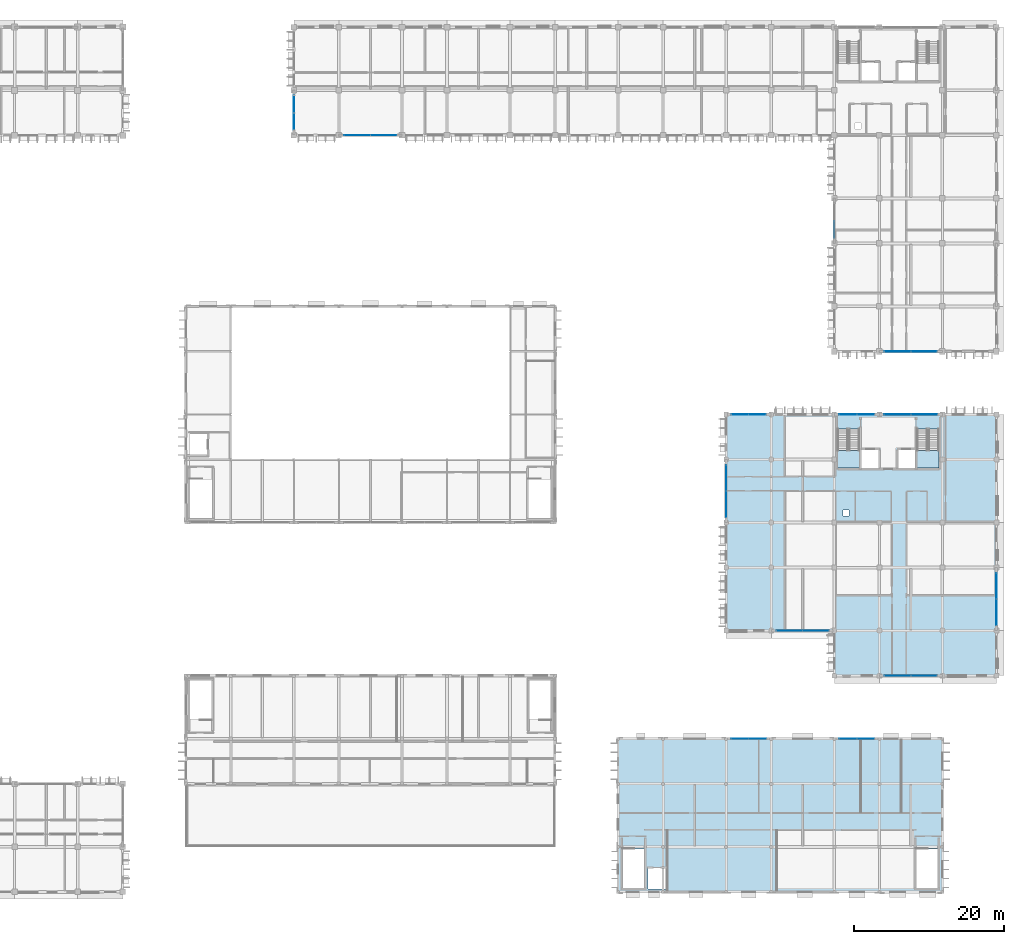
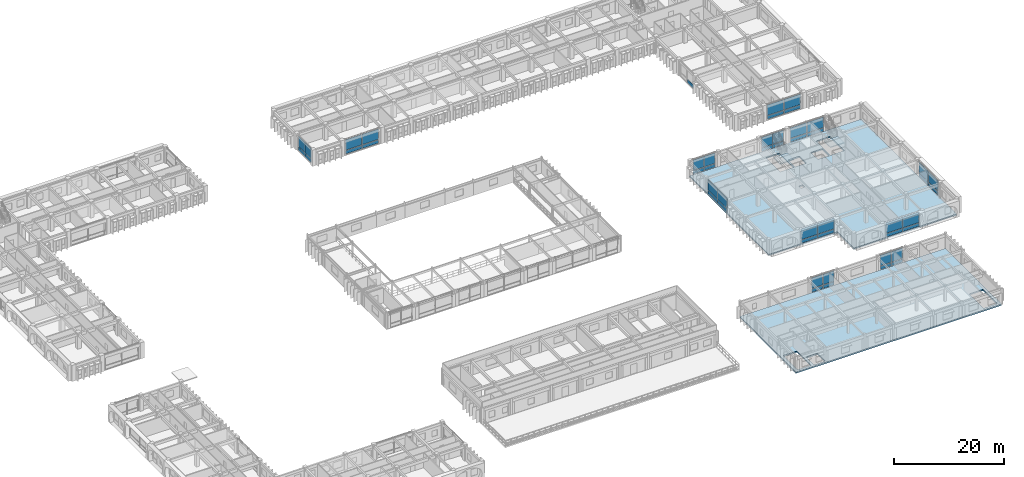
# One storey, part 44 of 88: 49 plates, 4 slabs, 15 elements without a shape of their own.
"""IFC4 building model written with IfcOpenShell, lengths in metres."""

from ifc_helpers import new_model, si_unit, direction, frame, origin, origin_2d, place, context, subcontext, project, spatial, polyline, rectangle, outline, extrude, material, layer, layer_set, type_object, element, aggregate, save


model = new_model("IFC4")

# Units and contexts
model_context = context("Model", 3, precision=1e-05, world=origin(), true_north=direction((0.0, 1.0)))
body_context = subcontext(model_context, "Body", "Model", "MODEL_VIEW")
ifc_project = project(units=[si_unit("LENGTHUNIT", "METRE"), si_unit("AREAUNIT", "SQUARE_METRE"), si_unit("VOLUMEUNIT", "CUBIC_METRE"), si_unit("PLANEANGLEUNIT", "RADIAN"), si_unit("MASSUNIT", "GRAM", prefix="KILO"), si_unit("THERMODYNAMICTEMPERATUREUNIT", "KELVIN")], contexts=[model_context])

# Site, building, storey
site_placement = place(None, origin())
site = spatial("IfcSite", under=ifc_project, at=site_placement, CompositionType="ELEMENT")
building_placement = place(site_placement, origin())
building = spatial("IfcBuilding", under=site, at=building_placement, Name="Thalorik Housing Commons", CompositionType="ELEMENT")
storey_placement = place(building_placement, frame((0.0, 0.0, 4.5)))
storey = spatial("IfcBuildingStorey", under=building, at=storey_placement, Name="L01", CompositionType="ELEMENT", Elevation=4.5)

# Curtain wall, plates
ifc_material_1 = material(Name="Anodised aluminium and solar-control low-E glass", Category="aluminium")
curtain_wall_type_1 = type_object("IfcCurtainWallType", Name="ARC-CW-LOUNGE", PredefinedType="USERDEFINED", material=ifc_material_1)
curtain_wall_1_placement = place(storey_placement, origin())
curtain_wall_1 = element("IfcCurtainWall", 1, at=curtain_wall_1_placement, inside=storey, type_object=curtain_wall_type_1, Name="L01 Curtain Wall CW-RES-L01-B-077", ObjectType="CURTAIN WALL", PredefinedType="USERDEFINED")
ifc_material_2 = material(Name="Cobalt blue enamelled aluminium spandrel panel", Category="aluminium")
ifc_layer_1 = layer(ifc_material_2, 0.0458984375, Name="Cobalt blue enamelled aluminium spandrel panel", Category="aluminium")
ifc_layer_set_1 = layer_set([ifc_layer_1], Name="Cobalt blue enamelled aluminium spandrel panel")
plate_type_1 = type_object("IfcPlateType", Name="ARC-CP-BLU-46", PredefinedType="CURTAIN_PANEL", material=ifc_layer_set_1)
plate_1_placement = place(storey_placement, frame((160.85009765625, 80.39990234375, 0.080078125), z_axis=(0.0, 0.0, 1.0), x_axis=(1.0, 0.0, 0.0)))
plate_1 = element("IfcPlate", 2, at=plate_1_placement, type_object=plate_type_1, Name="CW-RES-L01-B-077 Spandrel Panel 1", PredefinedType="CURTAIN_PANEL", context=body_context, shape_type="SweptSolid", body=[
    extrude(rectangle(XDim=3.43994140625, YDim=0.0458984375, at=origin_2d()), origin(), (0.0, 0.0, 1.0), 0.760009765625),
])
plate_2_placement = place(storey_placement, frame((164.35009765625, 80.39990234375, 0.080078125), z_axis=(0.0, 0.0, 1.0), x_axis=(1.0, 0.0, 0.0)))
plate_2 = element("IfcPlate", 3, at=plate_2_placement, type_object=plate_type_1, Name="CW-RES-L01-B-077 Spandrel Panel 2", PredefinedType="CURTAIN_PANEL", context=body_context, shape_type="SweptSolid", body=[
    extrude(rectangle(XDim=3.43994140625, YDim=0.0458984375, at=origin_2d()), origin(), (0.0, 0.0, 1.0), 0.760009765625),
])

curtain_wall_2_placement = place(storey_placement, origin())
curtain_wall_2 = element("IfcCurtainWall", 4, at=curtain_wall_2_placement, inside=storey, type_object=curtain_wall_type_1, Name="L01 Curtain Wall CW-RES-L01-D-173", ObjectType="CURTAIN WALL", PredefinedType="USERDEFINED")
plate_3_placement = place(storey_placement, frame((142.14990234375, 72.0, 0.080078125), z_axis=(0.0, 0.0, 1.0), x_axis=(-1.0, 0.0, 0.0)))
plate_3 = element("IfcPlate", 5, at=plate_3_placement, type_object=plate_type_1, Name="CW-RES-L01-D-173 Spandrel Panel 1", PredefinedType="CURTAIN_PANEL", context=body_context, shape_type="SweptSolid", body=[
    extrude(rectangle(XDim=2.239990234375, YDim=0.0458984375, at=origin_2d()), origin(), (0.0, 0.0, 1.0), 0.760009765625),
])
plate_4_placement = place(storey_placement, frame((139.85009765625, 72.0, 0.080078125), z_axis=(0.0, 0.0, 1.0), x_axis=(-1.0, 0.0, 0.0)))
plate_4 = element("IfcPlate", 6, at=plate_4_placement, type_object=plate_type_1, Name="CW-RES-L01-D-173 Spandrel Panel 2", PredefinedType="CURTAIN_PANEL", context=body_context, shape_type="SweptSolid", body=[
    extrude(rectangle(XDim=2.239990234375, YDim=0.0458984375, at=origin_2d()), origin(), (0.0, 0.0, 1.0), 0.760009765625),
])

curtain_wall_3_placement = place(storey_placement, origin())
curtain_wall_3 = element("IfcCurtainWall", 7, at=curtain_wall_3_placement, inside=storey, type_object=curtain_wall_type_1, Name="L01 Curtain Wall CW-RES-L01-D-175", ObjectType="CURTAIN WALL", PredefinedType="USERDEFINED")
plate_5_placement = place(storey_placement, frame((146.449951171875, 43.199951171875, 0.080078125), z_axis=(0.0, 0.0, 1.0), x_axis=(1.0, 0.0, 0.0)))
plate_5 = element("IfcPlate", 8, at=plate_5_placement, type_object=plate_type_1, Name="CW-RES-L01-D-175 Spandrel Panel 1", PredefinedType="CURTAIN_PANEL", context=body_context, shape_type="SweptSolid", body=[
    extrude(rectangle(XDim=3.43994140625, YDim=0.0458984375, at=origin_2d()), origin(), (0.0, 0.0, 1.0), 0.760009765625),
])
plate_6_placement = place(storey_placement, frame((149.949951171875, 43.199951171875, 0.080078125), z_axis=(0.0, 0.0, 1.0), x_axis=(1.0, 0.0, 0.0)))
plate_6 = element("IfcPlate", 9, at=plate_6_placement, type_object=plate_type_1, Name="CW-RES-L01-D-175 Spandrel Panel 2", PredefinedType="CURTAIN_PANEL", context=body_context, shape_type="SweptSolid", body=[
    extrude(rectangle(XDim=3.43994140625, YDim=0.0458984375, at=origin_2d()), origin(), (0.0, 0.0, 1.0), 0.760009765625),
])

curtain_wall_4_placement = place(storey_placement, origin())
curtain_wall_4 = element("IfcCurtainWall", 10, at=curtain_wall_4_placement, inside=storey, type_object=curtain_wall_type_1, Name="L01 Curtain Wall CW-RES-L01-D-176", ObjectType="CURTAIN WALL", PredefinedType="USERDEFINED")
plate_7_placement = place(storey_placement, frame((160.85009765625, 37.199951171875, 0.080078125), z_axis=(0.0, 0.0, 1.0), x_axis=(1.0, 0.0, 0.0)))
plate_7 = element("IfcPlate", 11, at=plate_7_placement, type_object=plate_type_1, Name="CW-RES-L01-D-176 Spandrel Panel 1", PredefinedType="CURTAIN_PANEL", context=body_context, shape_type="SweptSolid", body=[
    extrude(rectangle(XDim=3.43994140625, YDim=0.0458984375, at=origin_2d()), origin(), (0.0, 0.0, 1.0), 0.760009765625),
])
plate_8_placement = place(storey_placement, frame((164.35009765625, 37.199951171875, 0.080078125), z_axis=(0.0, 0.0, 1.0), x_axis=(1.0, 0.0, 0.0)))
plate_8 = element("IfcPlate", 12, at=plate_8_placement, type_object=plate_type_1, Name="CW-RES-L01-D-176 Spandrel Panel 2", PredefinedType="CURTAIN_PANEL", context=body_context, shape_type="SweptSolid", body=[
    extrude(rectangle(XDim=3.43994140625, YDim=0.0458984375, at=origin_2d()), origin(), (0.0, 0.0, 1.0), 0.760009765625),
])

curtain_wall_5_placement = place(storey_placement, origin())
curtain_wall_5 = element("IfcCurtainWall", 13, at=curtain_wall_5_placement, inside=storey, type_object=curtain_wall_type_1, Name="L01 Curtain Wall CW-RES-L01-D-177", ObjectType="CURTAIN WALL", PredefinedType="USERDEFINED")
plate_9_placement = place(storey_placement, frame((174.0, 45.64990234375, 0.080078125), z_axis=(0.0, 0.0, 1.0), x_axis=(0.0, 1.0, 0.0)))
plate_9 = element("IfcPlate", 14, at=plate_9_placement, type_object=plate_type_1, Name="CW-RES-L01-D-177 Spandrel Panel 1", PredefinedType="CURTAIN_PANEL", context=body_context, shape_type="SweptSolid", body=[
    extrude(rectangle(XDim=3.43994140625, YDim=0.0458984375, at=origin_2d()), origin(), (0.0, 0.0, 1.0), 0.760009765625),
])
plate_10_placement = place(storey_placement, frame((174.0, 49.14990234375, 0.080078125), z_axis=(0.0, 0.0, 1.0), x_axis=(0.0, 1.0, 0.0)))
plate_10 = element("IfcPlate", 15, at=plate_10_placement, type_object=plate_type_1, Name="CW-RES-L01-D-177 Spandrel Panel 2", PredefinedType="CURTAIN_PANEL", context=body_context, shape_type="SweptSolid", body=[
    extrude(rectangle(XDim=3.43994140625, YDim=0.0458984375, at=origin_2d()), origin(), (0.0, 0.0, 1.0), 0.760009765625),
])

curtain_wall_type_2 = type_object("IfcCurtainWallType", Name="ARC-CW-CORE", PredefinedType="USERDEFINED", material=ifc_material_1)
curtain_wall_6_placement = place(storey_placement, origin())
curtain_wall_6 = element("IfcCurtainWall", 16, at=curtain_wall_6_placement, inside=storey, type_object=curtain_wall_type_2, Name="L01 Curtain Wall CW-CORE-L01-D-179", ObjectType="CURTAIN WALL", PredefinedType="USERDEFINED")
plate_11_placement = place(storey_placement, frame((156.574951171875, 72.0, 0.080078125), z_axis=(0.0, 0.0, 1.0), x_axis=(-1.0, 0.0, 0.0)))
plate_11 = element("IfcPlate", 17, at=plate_11_placement, type_object=plate_type_1, Name="CW-CORE-L01-D-179 Spandrel Panel 1", PredefinedType="CURTAIN_PANEL", context=body_context, shape_type="SweptSolid", body=[
    extrude(rectangle(XDim=2.2900390625, YDim=0.0458984375, at=origin_2d()), origin(), (0.0, 0.0, 1.0), 0.760009765625),
])
plate_12_placement = place(storey_placement, frame((154.22509765625, 72.0, 0.080078125), z_axis=(0.0, 0.0, 1.0), x_axis=(-1.0, 0.0, 0.0)))
plate_12 = element("IfcPlate", 18, at=plate_12_placement, type_object=plate_type_1, Name="CW-CORE-L01-D-179 Spandrel Panel 2", PredefinedType="CURTAIN_PANEL", context=body_context, shape_type="SweptSolid", body=[
    extrude(rectangle(XDim=2.2900390625, YDim=0.0458984375, at=origin_2d()), origin(), (0.0, 0.0, 1.0), 0.760009765625),
])

curtain_wall_7_placement = place(storey_placement, origin())
curtain_wall_7 = element("IfcCurtainWall", 19, at=curtain_wall_7_placement, inside=storey, type_object=curtain_wall_type_1, Name="L01 Curtain Wall CW-RES-L01-B-074", ObjectType="CURTAIN WALL", PredefinedType="USERDEFINED")
ifc_material_3 = material(Name="Double solar-control low-E glass", Category="glass")
ifc_layer_2 = layer(ifc_material_3, 0.028076171875, Name="Double solar-control low-E glass", Category="glass")
ifc_layer_set_2 = layer_set([ifc_layer_2], Name="Double solar-control low-E glass")
plate_type_2 = type_object("IfcPlateType", Name="ARC-CP-GLZ-28", PredefinedType="CURTAIN_PANEL", material=ifc_layer_set_2)
plate_13_placement = place(storey_placement, frame((80.39990234375, 113.35009765625, 0.919921875), z_axis=(0.0, 0.0, 1.0), x_axis=(0.0, -1.0, 0.0)))
plate_13 = element("IfcPlate", 20, at=plate_13_placement, type_object=plate_type_2, Name="CW-RES-L01-B-074 Vision Panel 1", PredefinedType="CURTAIN_PANEL", context=body_context, shape_type="SweptSolid", body=[
    extrude(rectangle(XDim=2.239990234375, YDim=0.028076171875, at=origin_2d()), origin(), (0.0, 0.0, 1.0), 2.340087890625),
])
plate_14_placement = place(storey_placement, frame((80.39990234375, 111.050048828125, 0.919921875), z_axis=(0.0, 0.0, 1.0), x_axis=(0.0, -1.0, 0.0)))
plate_14 = element("IfcPlate", 21, at=plate_14_placement, type_object=plate_type_2, Name="CW-RES-L01-B-074 Vision Panel 2", PredefinedType="CURTAIN_PANEL", context=body_context, shape_type="SweptSolid", body=[
    extrude(rectangle(XDim=2.239990234375, YDim=0.028076171875, at=origin_2d()), origin(), (0.0, 0.0, 1.0), 2.340087890625),
])

curtain_wall_8_placement = place(storey_placement, origin())
curtain_wall_8 = element("IfcCurtainWall", 22, at=curtain_wall_8_placement, inside=storey, type_object=curtain_wall_type_1, Name="L01 Curtain Wall CW-RES-L01-B-075", ObjectType="CURTAIN WALL", PredefinedType="USERDEFINED")
plate_15_placement = place(storey_placement, frame((88.85009765625, 109.199951171875, 0.919921875), z_axis=(0.0, 0.0, 1.0), x_axis=(1.0, 0.0, 0.0)))
plate_15 = element("IfcPlate", 23, at=plate_15_placement, type_object=plate_type_2, Name="CW-RES-L01-B-075 Vision Panel 1", PredefinedType="CURTAIN_PANEL", context=body_context, shape_type="SweptSolid", body=[
    extrude(rectangle(XDim=3.43994140625, YDim=0.028076171875, at=origin_2d()), origin(), (0.0, 0.0, 1.0), 2.340087890625),
])
plate_16_placement = place(storey_placement, frame((92.35009765625, 109.199951171875, 0.919921875), z_axis=(0.0, 0.0, 1.0), x_axis=(1.0, 0.0, 0.0)))
plate_16 = element("IfcPlate", 24, at=plate_16_placement, type_object=plate_type_2, Name="CW-RES-L01-B-075 Vision Panel 2", PredefinedType="CURTAIN_PANEL", context=body_context, shape_type="SweptSolid", body=[
    extrude(rectangle(XDim=3.43994140625, YDim=0.028076171875, at=origin_2d()), origin(), (0.0, 0.0, 1.0), 2.340087890625),
])

# Plate
plate_17_placement = place(storey_placement, frame((160.85009765625, 80.39990234375, 0.919921875), z_axis=(0.0, 0.0, 1.0), x_axis=(1.0, 0.0, 0.0)))
plate_17 = element("IfcPlate", 25, at=plate_17_placement, type_object=plate_type_2, Name="CW-RES-L01-B-077 Vision Panel 1", PredefinedType="CURTAIN_PANEL", context=body_context, shape_type="SweptSolid", body=[
    extrude(rectangle(XDim=3.43994140625, YDim=0.028076171875, at=origin_2d()), origin(), (0.0, 0.0, 1.0), 2.340087890625),
])

plate_18_placement = place(storey_placement, frame((164.35009765625, 80.39990234375, 0.919921875), z_axis=(0.0, 0.0, 1.0), x_axis=(1.0, 0.0, 0.0)))
plate_18 = element("IfcPlate", 26, at=plate_18_placement, type_object=plate_type_2, Name="CW-RES-L01-B-077 Vision Panel 2", PredefinedType="CURTAIN_PANEL", context=body_context, shape_type="SweptSolid", body=[
    extrude(rectangle(XDim=3.43994140625, YDim=0.028076171875, at=origin_2d()), origin(), (0.0, 0.0, 1.0), 2.340087890625),
])

aggregate(curtain_wall_1, [plate_1, plate_17, plate_2, plate_18])

plate_19_placement = place(storey_placement, frame((142.14990234375, 72.0, 0.919921875), z_axis=(0.0, 0.0, 1.0), x_axis=(-1.0, 0.0, 0.0)))
plate_19 = element("IfcPlate", 27, at=plate_19_placement, type_object=plate_type_2, Name="CW-RES-L01-D-173 Vision Panel 1", PredefinedType="CURTAIN_PANEL", context=body_context, shape_type="SweptSolid", body=[
    extrude(rectangle(XDim=2.239990234375, YDim=0.028076171875, at=origin_2d()), origin(), (0.0, 0.0, 1.0), 2.340087890625),
])

plate_20_placement = place(storey_placement, frame((139.85009765625, 72.0, 0.919921875), z_axis=(0.0, 0.0, 1.0), x_axis=(-1.0, 0.0, 0.0)))
plate_20 = element("IfcPlate", 28, at=plate_20_placement, type_object=plate_type_2, Name="CW-RES-L01-D-173 Vision Panel 2", PredefinedType="CURTAIN_PANEL", context=body_context, shape_type="SweptSolid", body=[
    extrude(rectangle(XDim=2.239990234375, YDim=0.028076171875, at=origin_2d()), origin(), (0.0, 0.0, 1.0), 2.340087890625),
])

aggregate(curtain_wall_2, [plate_3, plate_19, plate_4, plate_20])

# Curtain wall, plates
curtain_wall_9_placement = place(storey_placement, origin())
curtain_wall_9 = element("IfcCurtainWall", 29, at=curtain_wall_9_placement, inside=storey, type_object=curtain_wall_type_1, Name="L01 Curtain Wall CW-RES-L01-D-174", ObjectType="CURTAIN WALL", PredefinedType="USERDEFINED")
plate_21_placement = place(storey_placement, frame((138.0, 63.550048828125, 0.919921875), z_axis=(0.0, 0.0, 1.0), x_axis=(0.0, -1.0, 0.0)))
plate_21 = element("IfcPlate", 30, at=plate_21_placement, type_object=plate_type_2, Name="CW-RES-L01-D-174 Vision Panel 1", PredefinedType="CURTAIN_PANEL", context=body_context, shape_type="SweptSolid", body=[
    extrude(rectangle(XDim=3.43994140625, YDim=0.028076171875, at=origin_2d()), origin(), (0.0, 0.0, 1.0), 2.340087890625),
])
plate_22_placement = place(storey_placement, frame((138.0, 60.050048828125, 0.919921875), z_axis=(0.0, 0.0, 1.0), x_axis=(0.0, -1.0, 0.0)))
plate_22 = element("IfcPlate", 31, at=plate_22_placement, type_object=plate_type_2, Name="CW-RES-L01-D-174 Vision Panel 2", PredefinedType="CURTAIN_PANEL", context=body_context, shape_type="SweptSolid", body=[
    extrude(rectangle(XDim=3.43994140625, YDim=0.028076171875, at=origin_2d()), origin(), (0.0, 0.0, 1.0), 2.340087890625),
])

# Plate
plate_23_placement = place(storey_placement, frame((146.449951171875, 43.199951171875, 0.919921875), z_axis=(0.0, 0.0, 1.0), x_axis=(1.0, 0.0, 0.0)))
plate_23 = element("IfcPlate", 32, at=plate_23_placement, type_object=plate_type_2, Name="CW-RES-L01-D-175 Vision Panel 1", PredefinedType="CURTAIN_PANEL", context=body_context, shape_type="SweptSolid", body=[
    extrude(rectangle(XDim=3.43994140625, YDim=0.028076171875, at=origin_2d()), origin(), (0.0, 0.0, 1.0), 2.340087890625),
])

plate_24_placement = place(storey_placement, frame((149.949951171875, 43.199951171875, 0.919921875), z_axis=(0.0, 0.0, 1.0), x_axis=(1.0, 0.0, 0.0)))
plate_24 = element("IfcPlate", 33, at=plate_24_placement, type_object=plate_type_2, Name="CW-RES-L01-D-175 Vision Panel 2", PredefinedType="CURTAIN_PANEL", context=body_context, shape_type="SweptSolid", body=[
    extrude(rectangle(XDim=3.43994140625, YDim=0.028076171875, at=origin_2d()), origin(), (0.0, 0.0, 1.0), 2.340087890625),
])

aggregate(curtain_wall_3, [plate_5, plate_23, plate_6, plate_24])

plate_25_placement = place(storey_placement, frame((160.85009765625, 37.199951171875, 0.919921875), z_axis=(0.0, 0.0, 1.0), x_axis=(1.0, 0.0, 0.0)))
plate_25 = element("IfcPlate", 34, at=plate_25_placement, type_object=plate_type_2, Name="CW-RES-L01-D-176 Vision Panel 1", PredefinedType="CURTAIN_PANEL", context=body_context, shape_type="SweptSolid", body=[
    extrude(rectangle(XDim=3.43994140625, YDim=0.028076171875, at=origin_2d()), origin(), (0.0, 0.0, 1.0), 2.340087890625),
])

plate_26_placement = place(storey_placement, frame((164.35009765625, 37.199951171875, 0.919921875), z_axis=(0.0, 0.0, 1.0), x_axis=(1.0, 0.0, 0.0)))
plate_26 = element("IfcPlate", 35, at=plate_26_placement, type_object=plate_type_2, Name="CW-RES-L01-D-176 Vision Panel 2", PredefinedType="CURTAIN_PANEL", context=body_context, shape_type="SweptSolid", body=[
    extrude(rectangle(XDim=3.43994140625, YDim=0.028076171875, at=origin_2d()), origin(), (0.0, 0.0, 1.0), 2.340087890625),
])

aggregate(curtain_wall_4, [plate_7, plate_25, plate_8, plate_26])

plate_27_placement = place(storey_placement, frame((174.0, 45.64990234375, 0.919921875), z_axis=(0.0, 0.0, 1.0), x_axis=(0.0, 1.0, 0.0)))
plate_27 = element("IfcPlate", 36, at=plate_27_placement, type_object=plate_type_2, Name="CW-RES-L01-D-177 Vision Panel 1", PredefinedType="CURTAIN_PANEL", context=body_context, shape_type="SweptSolid", body=[
    extrude(rectangle(XDim=3.43994140625, YDim=0.028076171875, at=origin_2d()), origin(), (0.0, 0.0, 1.0), 2.340087890625),
])

plate_28_placement = place(storey_placement, frame((174.0, 49.14990234375, 0.919921875), z_axis=(0.0, 0.0, 1.0), x_axis=(0.0, 1.0, 0.0)))
plate_28 = element("IfcPlate", 37, at=plate_28_placement, type_object=plate_type_2, Name="CW-RES-L01-D-177 Vision Panel 2", PredefinedType="CURTAIN_PANEL", context=body_context, shape_type="SweptSolid", body=[
    extrude(rectangle(XDim=3.43994140625, YDim=0.028076171875, at=origin_2d()), origin(), (0.0, 0.0, 1.0), 2.340087890625),
])

aggregate(curtain_wall_5, [plate_9, plate_27, plate_10, plate_28])

# Curtain wall, plates
curtain_wall_10_placement = place(storey_placement, origin())
curtain_wall_10 = element("IfcCurtainWall", 38, at=curtain_wall_10_placement, inside=storey, type_object=curtain_wall_type_2, Name="L01 Curtain Wall CW-CORE-L01-D-178", ObjectType="CURTAIN WALL", PredefinedType="USERDEFINED")
plate_29_placement = place(storey_placement, frame((164.375, 72.0, 0.919921875), z_axis=(0.0, 0.0, 1.0), x_axis=(-1.0, 0.0, 0.0)))
plate_29 = element("IfcPlate", 39, at=plate_29_placement, type_object=plate_type_2, Name="CW-CORE-L01-D-178 Vision Panel 1", PredefinedType="CURTAIN_PANEL", context=body_context, shape_type="SweptSolid", body=[
    extrude(rectangle(XDim=3.489990234375, YDim=0.028076171875, at=origin_2d()), origin(), (0.0, 0.0, 1.0), 2.340087890625),
])
plate_30_placement = place(storey_placement, frame((160.824951171875, 72.0, 0.919921875), z_axis=(0.0, 0.0, 1.0), x_axis=(-1.0, 0.0, 0.0)))
plate_30 = element("IfcPlate", 40, at=plate_30_placement, type_object=plate_type_2, Name="CW-CORE-L01-D-178 Vision Panel 2", PredefinedType="CURTAIN_PANEL", context=body_context, shape_type="SweptSolid", body=[
    extrude(rectangle(XDim=3.489990234375, YDim=0.028076171875, at=origin_2d()), origin(), (0.0, 0.0, 1.0), 2.340087890625),
])

# Plate
plate_31_placement = place(storey_placement, frame((156.574951171875, 72.0, 0.919921875), z_axis=(0.0, 0.0, 1.0), x_axis=(-1.0, 0.0, 0.0)))
plate_31 = element("IfcPlate", 41, at=plate_31_placement, type_object=plate_type_2, Name="CW-CORE-L01-D-179 Vision Panel 1", PredefinedType="CURTAIN_PANEL", context=body_context, shape_type="SweptSolid", body=[
    extrude(rectangle(XDim=2.2900390625, YDim=0.028076171875, at=origin_2d()), origin(), (0.0, 0.0, 1.0), 2.340087890625),
])

plate_32_placement = place(storey_placement, frame((154.22509765625, 72.0, 0.919921875), z_axis=(0.0, 0.0, 1.0), x_axis=(-1.0, 0.0, 0.0)))
plate_32 = element("IfcPlate", 42, at=plate_32_placement, type_object=plate_type_2, Name="CW-CORE-L01-D-179 Vision Panel 2", PredefinedType="CURTAIN_PANEL", context=body_context, shape_type="SweptSolid", body=[
    extrude(rectangle(XDim=2.2900390625, YDim=0.028076171875, at=origin_2d()), origin(), (0.0, 0.0, 1.0), 2.340087890625),
])

aggregate(curtain_wall_6, [plate_11, plate_31, plate_12, plate_32])

# Curtain wall, plates
curtain_wall_type_3 = type_object("IfcCurtainWallType", Name="ARC-CW-CIVIC", PredefinedType="USERDEFINED", material=ifc_material_1)
curtain_wall_11_placement = place(storey_placement, origin())
curtain_wall_11 = element("IfcCurtainWall", 43, at=curtain_wall_11_placement, inside=storey, type_object=curtain_wall_type_3, Name="L01 Curtain Wall CW-NURS-L01-229", ObjectType="CURTAIN WALL", PredefinedType="USERDEFINED")
ifc_material_4 = material(Name="Acoustic laminated solar-control glass", Category="glass")
ifc_layer_3 = layer(ifc_material_4, 0.031982421875, Name="Acoustic laminated solar-control glass", Category="glass")
ifc_layer_set_3 = layer_set([ifc_layer_3], Name="Acoustic laminated solar-control glass")
plate_type_3 = type_object("IfcPlateType", Name="ARC-CP-GLZ-32", PredefinedType="CURTAIN_PANEL", material=ifc_layer_set_3)
plate_33_placement = place(storey_placement, frame((156.574951171875, 28.800048828125, 0.919921875), z_axis=(0.0, 0.0, 1.0), x_axis=(-1.0, 0.0, 0.0)))
plate_33 = element("IfcPlate", 44, at=plate_33_placement, type_object=plate_type_3, Name="CW-NURS-L01-229 Vision Panel 1", PredefinedType="CURTAIN_PANEL", context=body_context, shape_type="SweptSolid", body=[
    extrude(rectangle(XDim=2.2900390625, YDim=0.031982421875, at=origin_2d()), origin(), (0.0, 0.0, 1.0), 2.340087890625),
])
plate_34_placement = place(storey_placement, frame((154.22509765625, 28.800048828125, 0.919921875), z_axis=(0.0, 0.0, 1.0), x_axis=(-1.0, 0.0, 0.0)))
plate_34 = element("IfcPlate", 45, at=plate_34_placement, type_object=plate_type_3, Name="CW-NURS-L01-229 Vision Panel 2", PredefinedType="CURTAIN_PANEL", context=body_context, shape_type="SweptSolid", body=[
    extrude(rectangle(XDim=2.2900390625, YDim=0.031982421875, at=origin_2d()), origin(), (0.0, 0.0, 1.0), 2.340087890625),
])

curtain_wall_12_placement = place(storey_placement, origin())
curtain_wall_12 = element("IfcCurtainWall", 46, at=curtain_wall_12_placement, inside=storey, type_object=curtain_wall_type_3, Name="L01 Curtain Wall CW-NURS-L01-230", ObjectType="CURTAIN WALL", PredefinedType="USERDEFINED")
plate_35_placement = place(storey_placement, frame((142.175048828125, 28.800048828125, 0.919921875), z_axis=(0.0, 0.0, 1.0), x_axis=(-1.0, 0.0, 0.0)))
plate_35 = element("IfcPlate", 47, at=plate_35_placement, type_object=plate_type_3, Name="CW-NURS-L01-230 Vision Panel 1", PredefinedType="CURTAIN_PANEL", context=body_context, shape_type="SweptSolid", body=[
    extrude(rectangle(XDim=2.2900390625, YDim=0.031982421875, at=origin_2d()), origin(), (0.0, 0.0, 1.0), 2.340087890625),
])
plate_36_placement = place(storey_placement, frame((139.824951171875, 28.800048828125, 0.919921875), z_axis=(0.0, 0.0, 1.0), x_axis=(-1.0, 0.0, 0.0)))
plate_36 = element("IfcPlate", 48, at=plate_36_placement, type_object=plate_type_3, Name="CW-NURS-L01-230 Vision Panel 2", PredefinedType="CURTAIN_PANEL", context=body_context, shape_type="SweptSolid", body=[
    extrude(rectangle(XDim=2.2900390625, YDim=0.031982421875, at=origin_2d()), origin(), (0.0, 0.0, 1.0), 2.340087890625),
])

# Plate
ifc_material_5 = material(Name="Oxide red enamelled aluminium spandrel panel", Category="aluminium")
ifc_layer_4 = layer(ifc_material_5, 0.0419921875, Name="Oxide red enamelled aluminium spandrel panel", Category="aluminium")
ifc_layer_set_4 = layer_set([ifc_layer_4], Name="Oxide red enamelled aluminium spandrel panel")
plate_type_4 = type_object("IfcPlateType", Name="ARC-CP-RED-42", PredefinedType="CURTAIN_PANEL", material=ifc_layer_set_4)
plate_37_placement = place(storey_placement, frame((80.39990234375, 113.35009765625, 0.080078125), z_axis=(0.0, 0.0, 1.0), x_axis=(0.0, -1.0, 0.0)))
plate_37 = element("IfcPlate", 49, at=plate_37_placement, type_object=plate_type_4, Name="CW-RES-L01-B-074 Spandrel Panel 1", PredefinedType="CURTAIN_PANEL", context=body_context, shape_type="SweptSolid", body=[
    extrude(rectangle(XDim=2.239990234375, YDim=0.0419921875, at=origin_2d()), origin(), (0.0, 0.0, 1.0), 0.760009765625),
])

plate_38_placement = place(storey_placement, frame((80.39990234375, 111.050048828125, 0.080078125), z_axis=(0.0, 0.0, 1.0), x_axis=(0.0, -1.0, 0.0)))
plate_38 = element("IfcPlate", 50, at=plate_38_placement, type_object=plate_type_4, Name="CW-RES-L01-B-074 Spandrel Panel 2", PredefinedType="CURTAIN_PANEL", context=body_context, shape_type="SweptSolid", body=[
    extrude(rectangle(XDim=2.239990234375, YDim=0.0419921875, at=origin_2d()), origin(), (0.0, 0.0, 1.0), 0.760009765625),
])

aggregate(curtain_wall_7, [plate_37, plate_13, plate_38, plate_14])

# Curtain wall, plate
curtain_wall_13_placement = place(storey_placement, origin())
curtain_wall_13 = element("IfcCurtainWall", 51, at=curtain_wall_13_placement, inside=storey, type_object=curtain_wall_type_1, Name="L01 Curtain Wall CW-RES-L01-B-076", ObjectType="CURTAIN WALL", PredefinedType="USERDEFINED")
plate_39_placement = place(storey_placement, frame((152.39990234375, 96.64990234375, 0.080078125), z_axis=(0.0, 0.0, 1.0), x_axis=(0.0, -1.0, 0.0)))
plate_39 = element("IfcPlate", 52, at=plate_39_placement, type_object=plate_type_4, Name="CW-RES-L01-B-076 Spandrel Panel 2", PredefinedType="CURTAIN_PANEL", context=body_context, shape_type="SweptSolid", body=[
    extrude(rectangle(XDim=2.239990234375, YDim=0.0419921875, at=origin_2d()), origin(), (0.0, 0.0, 1.0), 0.760009765625),
])
aggregate(curtain_wall_13, [plate_39])

# Plate
plate_40_placement = place(storey_placement, frame((138.0, 63.550048828125, 0.080078125), z_axis=(0.0, 0.0, 1.0), x_axis=(0.0, -1.0, 0.0)))
plate_40 = element("IfcPlate", 53, at=plate_40_placement, type_object=plate_type_4, Name="CW-RES-L01-D-174 Spandrel Panel 1", PredefinedType="CURTAIN_PANEL", context=body_context, shape_type="SweptSolid", body=[
    extrude(rectangle(XDim=3.43994140625, YDim=0.0419921875, at=origin_2d()), origin(), (0.0, 0.0, 1.0), 0.760009765625),
])

plate_41_placement = place(storey_placement, frame((138.0, 60.050048828125, 0.080078125), z_axis=(0.0, 0.0, 1.0), x_axis=(0.0, -1.0, 0.0)))
plate_41 = element("IfcPlate", 54, at=plate_41_placement, type_object=plate_type_4, Name="CW-RES-L01-D-174 Spandrel Panel 2", PredefinedType="CURTAIN_PANEL", context=body_context, shape_type="SweptSolid", body=[
    extrude(rectangle(XDim=3.43994140625, YDim=0.0419921875, at=origin_2d()), origin(), (0.0, 0.0, 1.0), 0.760009765625),
])

aggregate(curtain_wall_9, [plate_40, plate_21, plate_41, plate_22])

plate_42_placement = place(storey_placement, frame((164.375, 72.0, 0.080078125), z_axis=(0.0, 0.0, 1.0), x_axis=(-1.0, 0.0, 0.0)))
plate_42 = element("IfcPlate", 55, at=plate_42_placement, type_object=plate_type_4, Name="CW-CORE-L01-D-178 Spandrel Panel 1", PredefinedType="CURTAIN_PANEL", context=body_context, shape_type="SweptSolid", body=[
    extrude(rectangle(XDim=3.489990234375, YDim=0.0419921875, at=origin_2d()), origin(), (0.0, 0.0, 1.0), 0.760009765625),
])

plate_43_placement = place(storey_placement, frame((160.824951171875, 72.0, 0.080078125), z_axis=(0.0, 0.0, 1.0), x_axis=(-1.0, 0.0, 0.0)))
plate_43 = element("IfcPlate", 56, at=plate_43_placement, type_object=plate_type_4, Name="CW-CORE-L01-D-178 Spandrel Panel 2", PredefinedType="CURTAIN_PANEL", context=body_context, shape_type="SweptSolid", body=[
    extrude(rectangle(XDim=3.489990234375, YDim=0.0419921875, at=origin_2d()), origin(), (0.0, 0.0, 1.0), 0.760009765625),
])

aggregate(curtain_wall_10, [plate_42, plate_29, plate_43, plate_30])

plate_44_placement = place(storey_placement, frame((156.574951171875, 28.800048828125, 0.080078125), z_axis=(0.0, 0.0, 1.0), x_axis=(-1.0, 0.0, 0.0)))
plate_44 = element("IfcPlate", 57, at=plate_44_placement, type_object=plate_type_4, Name="CW-NURS-L01-229 Spandrel Panel 1", PredefinedType="CURTAIN_PANEL", context=body_context, shape_type="SweptSolid", body=[
    extrude(rectangle(XDim=2.2900390625, YDim=0.0419921875, at=origin_2d()), origin(), (0.0, 0.0, 1.0), 0.760009765625),
])

plate_45_placement = place(storey_placement, frame((154.22509765625, 28.800048828125, 0.080078125), z_axis=(0.0, 0.0, 1.0), x_axis=(-1.0, 0.0, 0.0)))
plate_45 = element("IfcPlate", 58, at=plate_45_placement, type_object=plate_type_4, Name="CW-NURS-L01-229 Spandrel Panel 2", PredefinedType="CURTAIN_PANEL", context=body_context, shape_type="SweptSolid", body=[
    extrude(rectangle(XDim=2.2900390625, YDim=0.0419921875, at=origin_2d()), origin(), (0.0, 0.0, 1.0), 0.760009765625),
])

aggregate(curtain_wall_11, [plate_44, plate_33, plate_45, plate_34])

ifc_material_6 = material(Name="Mineral ochre yellow aluminium spandrel panel", Category="aluminium")
ifc_layer_5 = layer(ifc_material_6, 0.050048828125, Name="Mineral ochre yellow aluminium spandrel panel", Category="aluminium")
ifc_layer_set_5 = layer_set([ifc_layer_5], Name="Mineral ochre yellow aluminium spandrel panel")
plate_type_5 = type_object("IfcPlateType", Name="ARC-CP-YEL-50", PredefinedType="CURTAIN_PANEL", material=ifc_layer_set_5)
plate_46_placement = place(storey_placement, frame((88.85009765625, 109.199951171875, 0.080078125), z_axis=(0.0, 0.0, 1.0), x_axis=(1.0, 0.0, 0.0)))
plate_46 = element("IfcPlate", 59, at=plate_46_placement, type_object=plate_type_5, Name="CW-RES-L01-B-075 Spandrel Panel 1", PredefinedType="CURTAIN_PANEL", context=body_context, shape_type="SweptSolid", body=[
    extrude(rectangle(XDim=3.43994140625, YDim=0.050048828125, at=origin_2d()), origin(), (0.0, 0.0, 1.0), 0.760009765625),
])

plate_47_placement = place(storey_placement, frame((92.35009765625, 109.199951171875, 0.080078125), z_axis=(0.0, 0.0, 1.0), x_axis=(1.0, 0.0, 0.0)))
plate_47 = element("IfcPlate", 60, at=plate_47_placement, type_object=plate_type_5, Name="CW-RES-L01-B-075 Spandrel Panel 2", PredefinedType="CURTAIN_PANEL", context=body_context, shape_type="SweptSolid", body=[
    extrude(rectangle(XDim=3.43994140625, YDim=0.050048828125, at=origin_2d()), origin(), (0.0, 0.0, 1.0), 0.760009765625),
])

aggregate(curtain_wall_8, [plate_46, plate_15, plate_47, plate_16])

plate_48_placement = place(storey_placement, frame((142.175048828125, 28.800048828125, 0.080078125), z_axis=(0.0, 0.0, 1.0), x_axis=(-1.0, 0.0, 0.0)))
plate_48 = element("IfcPlate", 61, at=plate_48_placement, type_object=plate_type_5, Name="CW-NURS-L01-230 Spandrel Panel 1", PredefinedType="CURTAIN_PANEL", context=body_context, shape_type="SweptSolid", body=[
    extrude(rectangle(XDim=2.2900390625, YDim=0.050048828125, at=origin_2d()), origin(), (0.0, 0.0, 1.0), 0.760009765625),
])

plate_49_placement = place(storey_placement, frame((139.824951171875, 28.800048828125, 0.080078125), z_axis=(0.0, 0.0, 1.0), x_axis=(-1.0, 0.0, 0.0)))
plate_49 = element("IfcPlate", 62, at=plate_49_placement, type_object=plate_type_5, Name="CW-NURS-L01-230 Spandrel Panel 2", PredefinedType="CURTAIN_PANEL", context=body_context, shape_type="SweptSolid", body=[
    extrude(rectangle(XDim=2.2900390625, YDim=0.050048828125, at=origin_2d()), origin(), (0.0, 0.0, 1.0), 0.760009765625),
])

aggregate(curtain_wall_12, [plate_48, plate_35, plate_49, plate_36])

# Stair, slab
ifc_material_7 = material(Name="Precast concrete C40/50", Category="concrete")
stair_type = type_object("IfcStairType", Name="ARC-STR-1350-R22", PredefinedType="HALF_TURN_STAIR", material=ifc_material_7)
stair_1_placement = place(storey_placement, origin())
stair_1 = element("IfcStair", 63, at=stair_1_placement, inside=storey, type_object=stair_type, Name="L01 Block D Smoke-Proof Stair 1", PredefinedType="HALF_TURN_STAIR")
ifc_layer_6 = layer(ifc_material_7, 0.199951171875, Name="Precast concrete C40/50", Category="concrete")
ifc_layer_set_6 = layer_set([ifc_layer_6], Name="Precast concrete C40/50")
slab_type_1 = type_object("IfcSlabType", Name="ARC-SLB-STLND-200", PredefinedType="LANDING", material=ifc_layer_set_6)
slab_1_placement = place(storey_placement, frame((0.0, 0.0, 1.60009765625)))
slab_1 = element("IfcSlab", 64, at=slab_1_placement, type_object=slab_type_1, Name="ST-D1 landing 1", PredefinedType="LANDING", context=body_context, shape_type="SweptSolid", body=[
    extrude(outline(polyline([(152.85009765625, 67.199951171875), (152.85009765625, 64.85009765625), (155.75, 64.85009765625), (155.75, 67.199951171875), (152.85009765625, 67.199951171875)])), origin(), (0.0, 0.0, 1.0), 0.199951171875),
])
aggregate(stair_1, [slab_1])

stair_2_placement = place(storey_placement, origin())
stair_2 = element("IfcStair", 65, at=stair_2_placement, inside=storey, type_object=stair_type, Name="L01 Block D Smoke-Proof Stair 2", PredefinedType="HALF_TURN_STAIR")
slab_2_placement = place(storey_placement, frame((0.0, 0.0, 1.60009765625)))
slab_2 = element("IfcSlab", 66, at=slab_2_placement, type_object=slab_type_1, Name="ST-D2 landing 1", PredefinedType="LANDING", context=body_context, shape_type="SweptSolid", body=[
    extrude(outline(polyline([(163.449951171875, 67.199951171875), (163.449951171875, 64.85009765625), (166.35009765625, 64.85009765625), (166.35009765625, 67.199951171875), (163.449951171875, 67.199951171875)])), origin(), (0.0, 0.0, 1.0), 0.199951171875),
])
aggregate(stair_2, [slab_2])

# Slabs
ifc_material_8 = material(Name="Precast concrete C45/55", Category="concrete")
ifc_layer_7 = layer(ifc_material_8, 0.300048828125, Name="Precast concrete C45/55", Category="concrete")
ifc_layer_set_7 = layer_set([ifc_layer_7], Name="Precast concrete C45/55")
slab_type_2 = type_object("IfcSlabType", Name="STR-SLB-POD-300", PredefinedType="FLOOR", material=ifc_layer_set_7)
slab_3_placement = place(storey_placement, frame((0.0, 0.0, -0.300048828125)))
element("IfcSlab", 67, at=slab_3_placement, inside=storey, type_object=slab_type_2, Name="L01 Residential Block D Floor Slab", PredefinedType="FLOOR", context=body_context, shape_type="SweptSolid", body=[
    extrude(outline(polyline([(152.39990234375, 43.199951171875), (152.39990234375, 37.199951171875), (174.0, 37.199951171875), (174.0, 72.0), (152.39990234375, 72.0), (138.0, 72.0), (138.0, 43.199951171875), (152.39990234375, 43.199951171875)]), holes=[polyline([(152.85009765625, 70.050048828125), (155.75, 70.050048828125), (155.75, 64.85009765625), (152.85009765625, 64.85009765625), (152.85009765625, 70.050048828125)]), polyline([(166.35009765625, 70.050048828125), (166.35009765625, 64.85009765625), (163.449951171875, 64.85009765625), (163.449951171875, 70.050048828125), (166.35009765625, 70.050048828125)]), polyline([(158.39990234375, 67.39990234375), (158.39990234375, 64.85009765625), (156.0, 64.85009765625), (156.0, 67.39990234375), (158.39990234375, 67.39990234375)]), polyline([(163.199951171875, 64.85009765625), (160.800048828125, 64.85009765625), (160.800048828125, 67.39990234375), (163.199951171875, 67.39990234375), (163.199951171875, 64.85009765625)]), polyline([(153.550048828125, 58.449951171875), (153.550048828125, 59.25), (154.35009765625, 59.25), (154.35009765625, 58.449951171875), (153.550048828125, 58.449951171875)])]), origin(), (0.0, 0.0, 1.0), 0.300048828125),
])
slab_4_placement = place(storey_placement, frame((0.0, 0.0, -0.300048828125)))
element("IfcSlab", 68, at=slab_4_placement, inside=storey, type_object=slab_type_2, Name="L01 Early Childhood Nursery Upper Floor Slab", PredefinedType="FLOOR", context=body_context, shape_type="SweptSolid", body=[
    extrude(outline(polyline([(123.60009765625, 28.800048828125), (123.60009765625, 8.39990234375), (166.800048828125, 8.39990234375), (166.800048828125, 28.800048828125), (123.60009765625, 28.800048828125)]), holes=[polyline([(127.10009765625, 8.89990234375), (124.199951171875, 8.89990234375), (124.199951171875, 14.10009765625), (127.10009765625, 14.10009765625), (127.10009765625, 8.89990234375)]), polyline([(163.300048828125, 8.89990234375), (163.300048828125, 14.10009765625), (166.199951171875, 14.10009765625), (166.199951171875, 8.89990234375), (163.300048828125, 8.89990234375)]), polyline([(127.60009765625, 8.800048828125), (127.60009765625, 11.60009765625), (130.0, 11.60009765625), (130.0, 8.800048828125), (127.60009765625, 8.800048828125)])]), origin(), (0.0, 0.0, 1.0), 0.300048828125),
])

save(model, "model.ifc")
